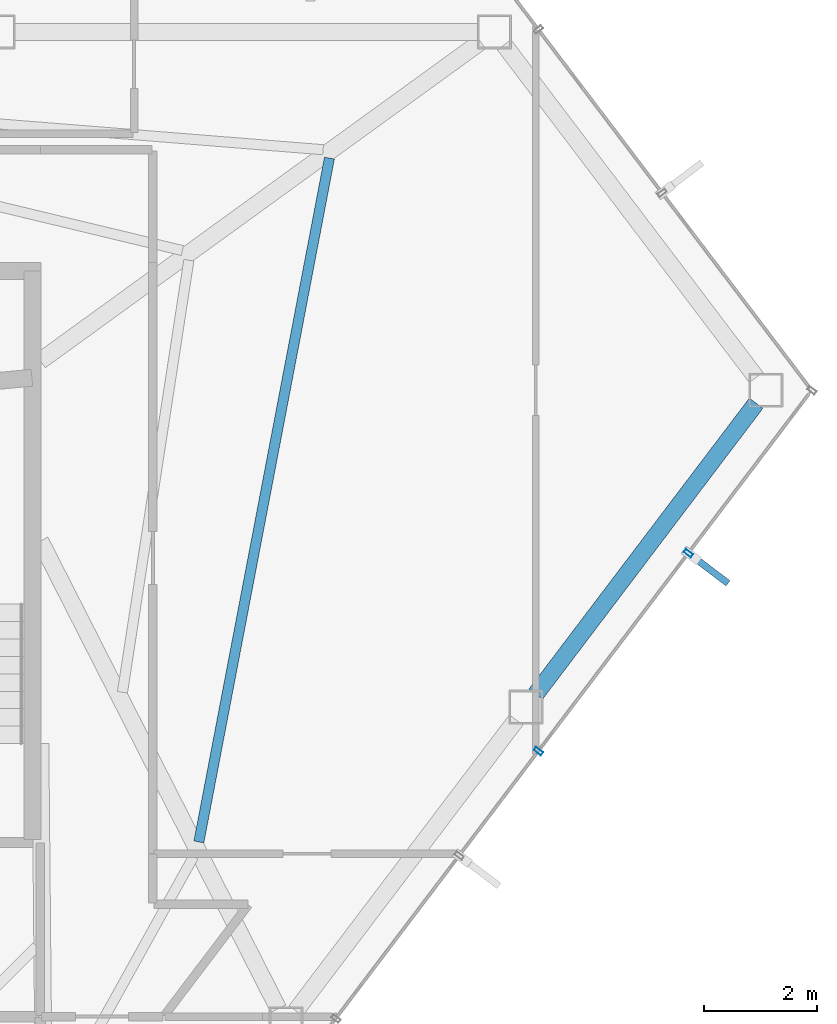
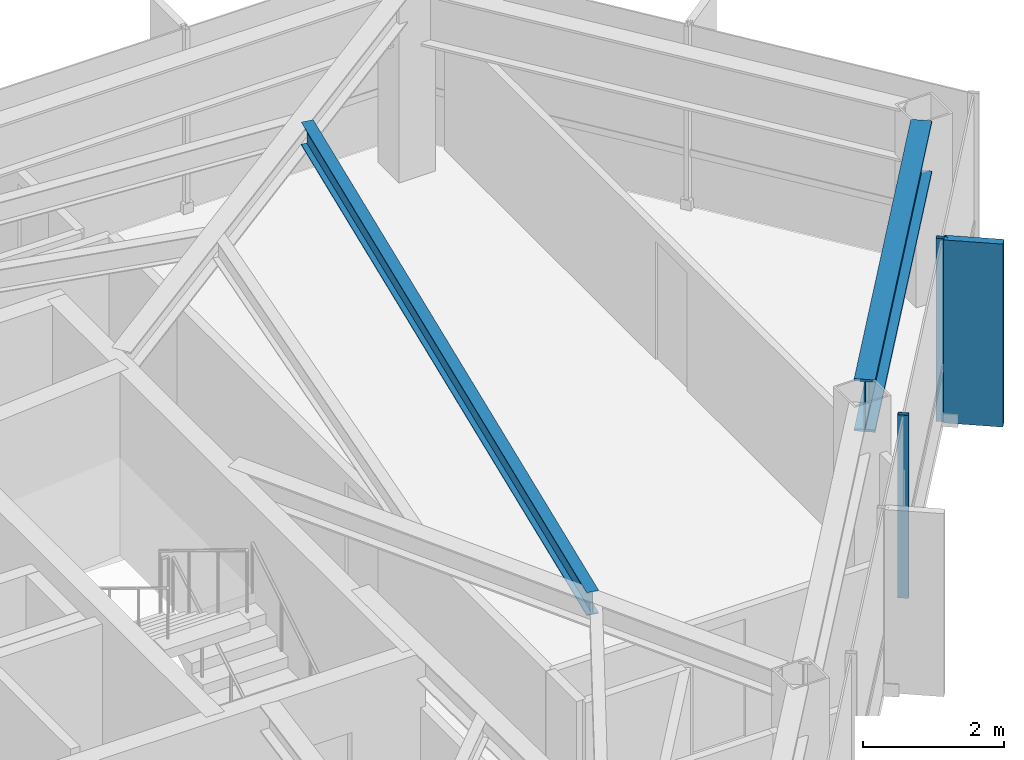
# One storey, part 20 of 28: 3 members, 2 beams, 1 element without a shape of its own.
"""IFC4 building model written with IfcOpenShell, lengths in metres."""

from ifc_helpers import new_model, si_unit, direction, frame, origin, origin_2d, place, context, subcontext, project, spatial, rectangle, hollow_rectangle, i_section, extrude, material, layer, layer_set, material_profile, profile_set, type_object, element, aggregate, save


model = new_model("IFC4")

# Units and contexts
model_context = context("Model", 3, precision=1e-05, world=origin(), true_north=direction((0.0, 1.0)))
body_context = subcontext(model_context, "Body", "Model", "MODEL_VIEW")
ifc_project = project(units=[si_unit("LENGTHUNIT", "METRE"), si_unit("AREAUNIT", "SQUARE_METRE"), si_unit("VOLUMEUNIT", "CUBIC_METRE"), si_unit("PLANEANGLEUNIT", "RADIAN"), si_unit("MASSUNIT", "GRAM", prefix="KILO")], contexts=[model_context])

# Site, building, storey
site_placement = place(None, origin())
site = spatial("IfcSite", under=ifc_project, at=site_placement, CompositionType="ELEMENT")
building_placement = place(site_placement, origin())
building = spatial("IfcBuilding", under=site, at=building_placement, Name="Zarrinselat Tower", CompositionType="ELEMENT")
storey_placement = place(building_placement, frame((0.0, 0.0, 218.9599609375)))
storey = spatial("IfcBuildingStorey", under=building, at=storey_placement, Name="L54", CompositionType="ELEMENT", Elevation=218.9599609375)

# Beams
ifc_material_1 = material(Name="Steel S460M", Category="steel")
ifc_material_profile_1 = material_profile(ifc_material_1, i_section(OverallWidth=0.302001953125, OverallDepth=0.909912109375, WebThickness=0.02099609375, FlangeThickness=0.0400390625, at=origin_2d()), Name="HEM 900")
ifc_profile_set_1 = profile_set([ifc_material_profile_1], Name="Steel S460M")
beam_type_1 = type_object("IfcBeamType", Name="BM-HEM900", PredefinedType="BEAM", material=ifc_profile_set_1)
beam_1_placement = place(storey_placement, frame((57.15087890625, 35.87890625, 2.72509765625), z_axis=(0.603878711073, 0.797076221144, 0.0), x_axis=(-0.797076221144, 0.603878711073, 0.0)))
element("IfcBeam", 1, at=beam_1_placement, inside=storey, type_object=beam_type_1, Name="L54 Perimeter Spandrel Girder SP14", PredefinedType="BEAM", context=body_context, shape_type="SweptSolid", body=[
    extrude(i_section(OverallWidth=0.302001953125, OverallDepth=0.909912109375, WebThickness=0.02099609375, FlangeThickness=0.0400390625, at=origin_2d()), origin(), (0.0, 0.0, 1.0), 6.48388671875),
])
ifc_material_2 = material(Name="Steel S355J2", Category="steel")
ifc_material_profile_2 = material_profile(ifc_material_2, i_section(OverallWidth=0.179931640625, OverallDepth=0.39990234375, WebThickness=0.008544921875, FlangeThickness=0.013427734375, at=origin_2d()), Name="IPE 400")
ifc_profile_set_2 = profile_set([ifc_material_profile_2], Name="Steel S355J2")
beam_type_2 = type_object("IfcBeamType", Name="BM-IPE400", PredefinedType="JOIST", material=ifc_profile_set_2)
beam_2_placement = place(storey_placement, frame((51.166015625, 33.253662109375, 2.97998046875), z_axis=(0.187575576194, 0.982250173436, 0.0), x_axis=(-0.982250173436, 0.187575576194, 0.0)))
element("IfcBeam", 2, at=beam_2_placement, inside=storey, type_object=beam_type_2, Name="L54 Composite Floor Joist 5-1", PredefinedType="JOIST", context=body_context, shape_type="SweptSolid", body=[
    extrude(i_section(OverallWidth=0.179931640625, OverallDepth=0.39990234375, WebThickness=0.008544921875, FlangeThickness=0.013427734375, at=origin_2d()), origin(), (0.0, 0.0, 1.0), 12.36865234375),
])

# Curtain wall, members
ifc_material_3 = material(Name="Extruded Aluminium Alloy EN AW-6063 T6", Category="aluminium")
ifc_layer = layer(ifc_material_3, 0.169921875)
ifc_layer_set = layer_set([ifc_layer], Name="Extruded Aluminium Alloy EN AW-6063 T6")
curtain_wall_type = type_object("IfcCurtainWallType", Name="CWS-RES", PredefinedType="NOTDEFINED", material=ifc_layer_set)
curtain_wall_placement = place(storey_placement, origin())
curtain_wall = element("IfcCurtainWall", 3, at=curtain_wall_placement, inside=storey, type_object=curtain_wall_type, Name="L54 Unitised Curtain Wall CW-L54-E05", PredefinedType="NOTDEFINED")
ifc_material_4 = material(Name="Extruded Aluminium Alloy EN AW-6063 T6", Category="aluminium")
ifc_material_profile_3 = material_profile(ifc_material_4, hollow_rectangle(XDim=0.070068359375, YDim=0.159912109375, WallThickness=0.00390625, at=origin_2d()), Name="RHS 160x70x4")
ifc_profile_set_3 = profile_set([ifc_material_profile_3], Name="Extruded Aluminium Alloy EN AW-6063 T6")
member_type_1 = type_object("IfcMemberType", Name="MEM-CW-MUL2", PredefinedType="MULLION", material=ifc_profile_set_3)
member_1_placement = place(storey_placement, frame((57.1982421875, 34.864990234375, 0.0), z_axis=(0.0, 0.0, 1.0), x_axis=(0.603859212041, 0.797090993572, 0.0)))
member_1 = element("IfcMember", 4, at=member_1_placement, type_object=member_type_1, Name="CW-L54-E05 Mullion 6", PredefinedType="MULLION", context=body_context, shape_type="SweptSolid", body=[
    extrude(hollow_rectangle(XDim=0.070068359375, YDim=0.159912109375, WallThickness=0.00390625, at=origin_2d()), origin(), (0.0, 0.0, 1.0), 3.179931640625),
])
member_2_placement = place(storey_placement, frame((59.862548828125, 38.3818359375, 0.0), z_axis=(0.0, 0.0, 1.0), x_axis=(0.603859212041, 0.797090993572, 0.0)))
member_2 = element("IfcMember", 5, at=member_2_placement, type_object=member_type_1, Name="CW-L54-E05 Mullion 7", PredefinedType="MULLION", context=body_context, shape_type="SweptSolid", body=[
    extrude(hollow_rectangle(XDim=0.070068359375, YDim=0.159912109375, WallThickness=0.00390625, at=origin_2d()), origin(), (0.0, 0.0, 1.0), 3.179931640625),
])
ifc_material_5 = material(Name="Honed Cream Travertine Stone", Category="masonry")
ifc_material_profile_4 = material_profile(ifc_material_5, rectangle(XDim=0.1201171875, YDim=0.85009765625, at=origin_2d()), Name="FIN 850x120")
ifc_profile_set_4 = profile_set([ifc_material_profile_4], Name="Honed Cream Travertine Stone")
member_type_2 = type_object("IfcMemberType", Name="MEM-STONE-FIN", PredefinedType="USERDEFINED", material=ifc_profile_set_4)
member_3_placement = place(storey_placement, frame((60.229248046875, 38.10400390625, 0.0), z_axis=(0.0, 0.0, 1.0), x_axis=(-0.603859212041, -0.797090993572, 0.0)))
member_3 = element("IfcMember", 6, at=member_3_placement, type_object=member_type_2, Name="L54 Stone Shading Fin CW-L54-E05-07", ObjectType="FIN", PredefinedType="USERDEFINED", context=body_context, shape_type="SweptSolid", body=[
    extrude(rectangle(XDim=0.1201171875, YDim=0.85009765625, at=origin_2d()), origin(), (0.0, 0.0, 1.0), 3.179931640625),
])
aggregate(curtain_wall, [member_1, member_2, member_3])

save(model, "model.ifc")
